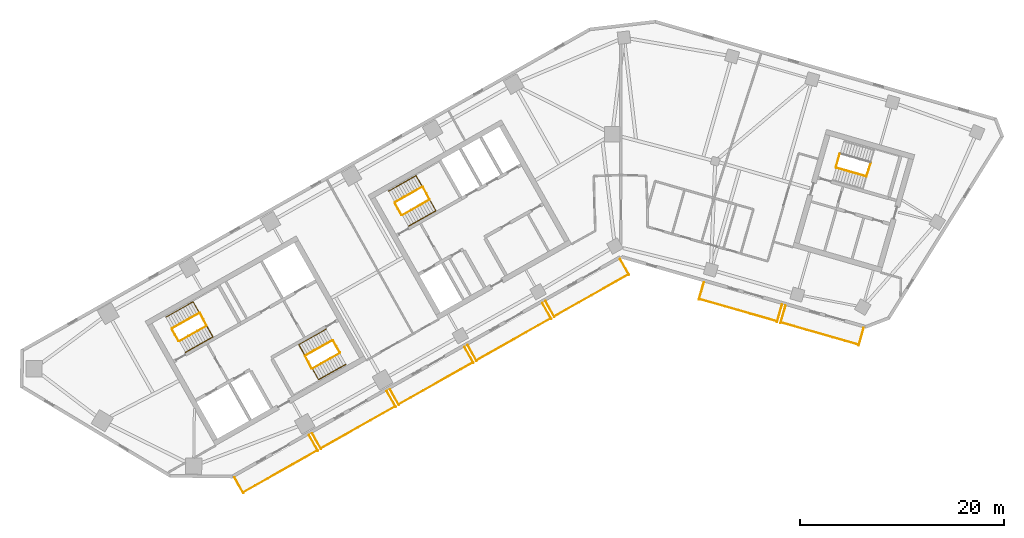
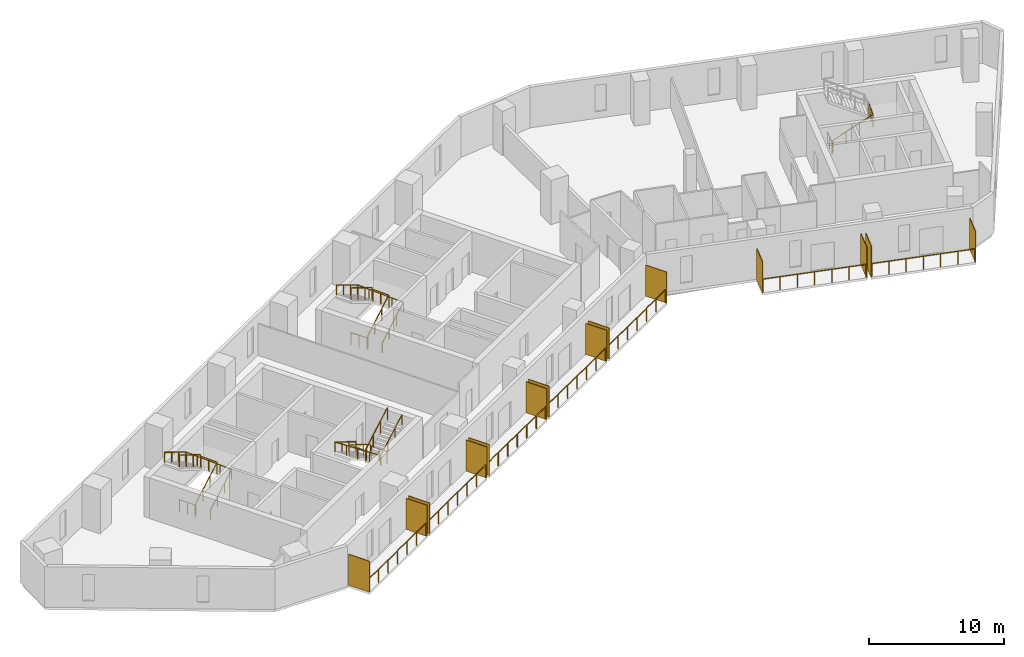
# One storey, part 8 of 9: 21 railings, 14 shading devices.
"""IFC4 building model written with IfcOpenShell, lengths in metres."""

from ifc_helpers import new_model, si_unit, direction, frame, origin, origin_2d, place, context, subcontext, project, spatial, rectangle, circle, extrude, material, layer, layer_set, type_object, element, save


model = new_model("IFC4")

# Units and contexts
model_context = context("Model", 3, precision=1e-05, world=origin(), true_north=direction((0.0, 1.0)))
body_context = subcontext(model_context, "Body", "Model", "MODEL_VIEW")
ifc_project = project(units=[si_unit("LENGTHUNIT", "METRE"), si_unit("AREAUNIT", "SQUARE_METRE"), si_unit("VOLUMEUNIT", "CUBIC_METRE"), si_unit("PLANEANGLEUNIT", "RADIAN"), si_unit("MASSUNIT", "GRAM", prefix="KILO")], contexts=[model_context])

# Site, building, storey
site_placement = place(None, origin())
site = spatial("IfcSite", under=ifc_project, at=site_placement, CompositionType="ELEMENT")
building_placement = place(site_placement, origin())
building = spatial("IfcBuilding", under=site, at=building_placement, Name="Binnacle Exchange Tower", CompositionType="ELEMENT")
storey_placement = place(building_placement, frame((0.0, 0.0, 182.89990234375)))
storey = spatial("IfcBuildingStorey", under=building, at=storey_placement, Name="L39", CompositionType="ELEMENT", Elevation=182.89990234375)

# Railings
ifc_material_1 = material(Name="Bronze anodised aluminium frame", Category="aluminium")
railing_type_1 = type_object("IfcRailingType", Name="GUARD 1200", PredefinedType="GUARDRAIL", material=ifc_material_1)
railing_1_placement = place(storey_placement, frame((-36.994140625, 24.921142578125, 0.0)))
element("IfcRailing", 1, at=railing_1_placement, inside=storey, type_object=railing_type_1, Name="Balcony guard G01-B00 L39", PredefinedType="GUARDRAIL", context=body_context, shape_type="SweptSolid", body=[
    extrude(circle(Radius=0.02392578125, at=origin_2d()), frame((0.0, 0.0, 1.17578125), z_axis=(0.8703461643, 0.49244040684, 0.0), x_axis=(-0.49244040684, 0.8703461643, 0.0)), (0.0, 0.0, 1.0), 8.33447265625),
    extrude(circle(Radius=0.02099609375, at=origin_2d()), origin(), (0.0, 0.0, 1.0), 1.15185546875),
    extrude(circle(Radius=0.02099609375, at=origin_2d()), frame((1.208984375, 0.68408203125, 0.0)), (0.0, 0.0, 1.0), 1.15185546875),
    extrude(circle(Radius=0.02099609375, at=origin_2d()), frame((2.41796875, 1.3681640625, 0.0)), (0.0, 0.0, 1.0), 1.15185546875),
    extrude(circle(Radius=0.02099609375, at=origin_2d()), frame((3.626953125, 2.05224609375, 0.0)), (0.0, 0.0, 1.0), 1.15185546875),
    extrude(circle(Radius=0.02099609375, at=origin_2d()), frame((4.8359375, 2.736083984375, 0.0)), (0.0, 0.0, 1.0), 1.15185546875),
    extrude(circle(Radius=0.02099609375, at=origin_2d()), frame((6.044921875, 3.420166015625, 0.0)), (0.0, 0.0, 1.0), 1.15185546875),
    extrude(circle(Radius=0.02099609375, at=origin_2d()), frame((7.25390625, 4.104248046875, 0.0)), (0.0, 0.0, 1.0), 1.15185546875),
])
railing_2_placement = place(storey_placement, frame((-29.374755859375, 29.232177734375, 0.0)))
element("IfcRailing", 2, at=railing_2_placement, inside=storey, type_object=railing_type_1, Name="Balcony guard G01-B01 L39", PredefinedType="GUARDRAIL", context=body_context, shape_type="SweptSolid", body=[
    extrude(circle(Radius=0.02392578125, at=origin_2d()), frame((0.0, 0.0, 1.17578125), z_axis=(0.870365821494, 0.492405662818, 0.0), x_axis=(-0.492405662818, 0.870365821494, 0.0)), (0.0, 0.0, 1.0), 8.334716796875),
    extrude(circle(Radius=0.02099609375, at=origin_2d()), origin(), (0.0, 0.0, 1.0), 1.15185546875),
    extrude(circle(Radius=0.02099609375, at=origin_2d()), frame((1.208984375, 0.68408203125, 0.0)), (0.0, 0.0, 1.0), 1.15185546875),
    extrude(circle(Radius=0.02099609375, at=origin_2d()), frame((2.41796875, 1.367919921875, 0.0)), (0.0, 0.0, 1.0), 1.15185546875),
    extrude(circle(Radius=0.02099609375, at=origin_2d()), frame((3.626953125, 2.052001953125, 0.0)), (0.0, 0.0, 1.0), 1.15185546875),
    extrude(circle(Radius=0.02099609375, at=origin_2d()), frame((4.836181640625, 2.736083984375, 0.0)), (0.0, 0.0, 1.0), 1.15185546875),
    extrude(circle(Radius=0.02099609375, at=origin_2d()), frame((6.045166015625, 3.419921875, 0.0)), (0.0, 0.0, 1.0), 1.15185546875),
    extrude(circle(Radius=0.02099609375, at=origin_2d()), frame((7.254150390625, 4.10400390625, 0.0)), (0.0, 0.0, 1.0), 1.15185546875),
])
railing_3_placement = place(storey_placement, frame((-21.7548828125, 33.54296875, 0.0)))
element("IfcRailing", 3, at=railing_3_placement, inside=storey, type_object=railing_type_1, Name="Balcony guard G01-B02 L39", PredefinedType="GUARDRAIL", context=body_context, shape_type="SweptSolid", body=[
    extrude(circle(Radius=0.02392578125, at=origin_2d()), frame((0.0, 0.0, 1.17578125), z_axis=(0.870339060608, 0.492452961795, 0.0), x_axis=(-0.492452961795, 0.870339060608, 0.0)), (0.0, 0.0, 1.0), 8.334228515625),
    extrude(circle(Radius=0.02099609375, at=origin_2d()), origin(), (0.0, 0.0, 1.0), 1.15185546875),
    extrude(circle(Radius=0.02099609375, at=origin_2d()), frame((1.208984375, 0.68408203125, 0.0)), (0.0, 0.0, 1.0), 1.15185546875),
    extrude(circle(Radius=0.02099609375, at=origin_2d()), frame((2.41796875, 1.3681640625, 0.0)), (0.0, 0.0, 1.0), 1.15185546875),
    extrude(circle(Radius=0.02099609375, at=origin_2d()), frame((3.626953125, 2.05224609375, 0.0)), (0.0, 0.0, 1.0), 1.15185546875),
    extrude(circle(Radius=0.02099609375, at=origin_2d()), frame((4.835693359375, 2.736083984375, 0.0)), (0.0, 0.0, 1.0), 1.15185546875),
    extrude(circle(Radius=0.02099609375, at=origin_2d()), frame((6.044677734375, 3.420166015625, 0.0)), (0.0, 0.0, 1.0), 1.15185546875),
    extrude(circle(Radius=0.02099609375, at=origin_2d()), frame((7.253662109375, 4.104248046875, 0.0)), (0.0, 0.0, 1.0), 1.15185546875),
])
railing_4_placement = place(storey_placement, frame((-14.135498046875, 37.85400390625, 0.0)))
element("IfcRailing", 4, at=railing_4_placement, inside=storey, type_object=railing_type_1, Name="Balcony guard G01-B03 L39", PredefinedType="GUARDRAIL", context=body_context, shape_type="SweptSolid", body=[
    extrude(circle(Radius=0.02392578125, at=origin_2d()), frame((0.0, 0.0, 1.17578125), z_axis=(0.870365821494, 0.492405662818, 0.0), x_axis=(-0.492405662818, 0.870365821494, 0.0)), (0.0, 0.0, 1.0), 8.334716796875),
    extrude(circle(Radius=0.02099609375, at=origin_2d()), origin(), (0.0, 0.0, 1.0), 1.15185546875),
    extrude(circle(Radius=0.02099609375, at=origin_2d()), frame((1.208984375, 0.68408203125, 0.0)), (0.0, 0.0, 1.0), 1.15185546875),
    extrude(circle(Radius=0.02099609375, at=origin_2d()), frame((2.41796875, 1.367919921875, 0.0)), (0.0, 0.0, 1.0), 1.15185546875),
    extrude(circle(Radius=0.02099609375, at=origin_2d()), frame((3.626953125, 2.052001953125, 0.0)), (0.0, 0.0, 1.0), 1.15185546875),
    extrude(circle(Radius=0.02099609375, at=origin_2d()), frame((4.836181640625, 2.736083984375, 0.0)), (0.0, 0.0, 1.0), 1.15185546875),
    extrude(circle(Radius=0.02099609375, at=origin_2d()), frame((6.045166015625, 3.419921875, 0.0)), (0.0, 0.0, 1.0), 1.15185546875),
    extrude(circle(Radius=0.02099609375, at=origin_2d()), frame((7.254150390625, 4.10400390625, 0.0)), (0.0, 0.0, 1.0), 1.15185546875),
])
railing_5_placement = place(storey_placement, frame((-6.515869140625, 42.164794921875, 0.0)))
element("IfcRailing", 5, at=railing_5_placement, inside=storey, type_object=railing_type_1, Name="Balcony guard G01-B04 L39", PredefinedType="GUARDRAIL", context=body_context, shape_type="SweptSolid", body=[
    extrude(circle(Radius=0.02392578125, at=origin_2d()), frame((0.0, 0.0, 1.17578125), z_axis=(0.8703461643, 0.49244040684, 0.0), x_axis=(-0.49244040684, 0.8703461643, 0.0)), (0.0, 0.0, 1.0), 8.33447265625),
    extrude(circle(Radius=0.02099609375, at=origin_2d()), origin(), (0.0, 0.0, 1.0), 1.15185546875),
    extrude(circle(Radius=0.02099609375, at=origin_2d()), frame((1.208984375, 0.68408203125, 0.0)), (0.0, 0.0, 1.0), 1.15185546875),
    extrude(circle(Radius=0.02099609375, at=origin_2d()), frame((2.41796875, 1.3681640625, 0.0)), (0.0, 0.0, 1.0), 1.15185546875),
    extrude(circle(Radius=0.02099609375, at=origin_2d()), frame((3.626953125, 2.05224609375, 0.0)), (0.0, 0.0, 1.0), 1.15185546875),
    extrude(circle(Radius=0.02099609375, at=origin_2d()), frame((4.8359375, 2.736083984375, 0.0)), (0.0, 0.0, 1.0), 1.15185546875),
    extrude(circle(Radius=0.02099609375, at=origin_2d()), frame((6.044921875, 3.420166015625, 0.0)), (0.0, 0.0, 1.0), 1.15185546875),
    extrude(circle(Radius=0.02099609375, at=origin_2d()), frame((7.25390625, 4.104248046875, 0.0)), (0.0, 0.0, 1.0), 1.15185546875),
])
for number, where, name in (
    (6, (7.6845703125, 43.85107421875, 0.0), "Balcony guard G02-B01 L39"),
    (7, (15.6826171875, 41.5576171875, 0.0), "Balcony guard G02-B02 L39"),
):
    element("IfcRailing", number, at=place(storey_placement, frame(where)), inside=storey, type_object=railing_type_1, Name=name, PredefinedType="GUARDRAIL", context=body_context, shape_type="SweptSolid", body=[
        extrude(circle(Radius=0.02392578125, at=origin_2d()), frame((0.0, 0.0, 1.17578125), z_axis=(0.961265805968, -0.275623022035, 0.0), x_axis=(0.275623022035, 0.961265805968, 0.0)), (0.0, 0.0, 1.0), 7.900146484375),
        extrude(circle(Radius=0.02099609375, at=origin_2d()), origin(), (0.0, 0.0, 1.0), 1.15185546875),
        extrude(circle(Radius=0.02099609375, at=origin_2d()), frame((1.265625, -0.36279296875, 0.0)), (0.0, 0.0, 1.0), 1.15185546875),
        extrude(circle(Radius=0.02099609375, at=origin_2d()), frame((2.531494140625, -0.725830078125, 0.0)), (0.0, 0.0, 1.0), 1.15185546875),
        extrude(circle(Radius=0.02099609375, at=origin_2d()), frame((3.797119140625, -1.0888671875, 0.0)), (0.0, 0.0, 1.0), 1.15185546875),
        extrude(circle(Radius=0.02099609375, at=origin_2d()), frame((5.062744140625, -1.45166015625, 0.0)), (0.0, 0.0, 1.0), 1.15185546875),
        extrude(circle(Radius=0.02099609375, at=origin_2d()), frame((6.32861328125, -1.814453125, 0.0)), (0.0, 0.0, 1.0), 1.15185546875),
        extrude(circle(Radius=0.02099609375, at=origin_2d()), frame((7.59423828125, -2.177490234375, 0.0)), (0.0, 0.0, 1.0), 1.15185546875),
    ])

# Shading devices
ifc_material_2 = material(Name="Bronze aluminium louvre", Category="aluminium")
ifc_layer = layer(ifc_material_2, 0.06005859375)
ifc_layer_set = layer_set([ifc_layer], Name="PLANTED SCREEN 60x2800")
shading_device_type = type_object("IfcShadingDeviceType", Name="PLANTED SCREEN 60x2800", PredefinedType="USERDEFINED", material=ifc_layer_set)
for number, where, z_axis, x_axis, name in (
    (8, (-37.424072265625, 25.6201171875, 0.0), (0.0, 0.0, 1.0), (0.87035569594, 0.492423560103, 0.0), "Planted screen G01-B00a L39"),
    (9, (-30.117919921875, 29.753662109375, 0.0), (0.0, 0.0, 1.0), (0.87035569594, 0.492423560103, 0.0), "Planted screen G01-B00b L39"),
    (10, (-29.8046875, 29.930908203125, 0.0), (0.0, 0.0, 1.0), (0.87035569594, 0.492423560103, 0.0), "Planted screen G01-B01a L39"),
    (11, (-22.498291015625, 34.064697265625, 0.0), (0.0, 0.0, 1.0), (0.87035569594, 0.492423560103, 0.0), "Planted screen G01-B01b L39"),
    (12, (-22.184814453125, 34.241943359375, 0.0), (0.0, 0.0, 1.0), (0.87035569594, 0.492423560103, 0.0), "Planted screen G01-B02a L39"),
    (13, (-14.878662109375, 38.37548828125, 0.0), (0.0, 0.0, 1.0), (0.87035569594, 0.492423560103, 0.0), "Planted screen G01-B02b L39"),
    (14, (-14.5654296875, 38.552978515625, 0.0), (0.0, 0.0, 1.0), (0.87035569594, 0.492423560103, 0.0), "Planted screen G01-B03a L39"),
    (15, (-7.259033203125, 42.6865234375, 0.0), (0.0, 0.0, 1.0), (0.87035569594, 0.492423560103, 0.0), "Planted screen G01-B03b L39"),
    (16, (-6.94580078125, 42.864013671875, 0.0), (0.0, 0.0, 1.0), (0.87035569594, 0.492423560103, 0.0), "Planted screen G01-B04a L39"),
    (17, (0.3603515625, 46.99755859375, 0.0), (0.0, 0.0, 1.0), (0.87035569594, 0.492423560103, 0.0), "Planted screen G01-B04b L39"),
    (18, (7.881591796875, 44.647705078125, 0.0), (0.0, 0.0, 1.0), (0.961261695938, -0.275637355817, 0.0), "Planted screen G02-B01a L39"),
    (19, (15.53369140625, 42.45361328125, 0.0), (0.0, 0.0, 1.0), (0.961261695938, -0.275637355817, 0.0), "Planted screen G02-B01b L39"),
    (20, (15.8798828125, 42.354248046875, 0.0), (0.0, 0.0, 1.0), (0.961261695938, -0.275637355817, 0.0), "Planted screen G02-B02a L39"),
    (21, (23.53173828125, 40.16015625, 0.0), (0.0, 0.0, 1.0), (0.961261695938, -0.275637355817, 0.0), "Planted screen G02-B02b L39"),
):
    element("IfcShadingDevice", number, at=place(storey_placement, frame(where, z_axis=z_axis, x_axis=x_axis)), inside=storey, type_object=shading_device_type, Name=name, ObjectType="SCREEN", PredefinedType="USERDEFINED", context=body_context, shape_type="SweptSolid", body=[
        extrude(rectangle(XDim=0.06005859375, YDim=1.800048828125, at=origin_2d()), origin(), (0.0, 0.0, 1.0), 2.800048828125),
    ])

# Railings
ifc_material_3 = material(Name="Steel guard rail", Category="steel")
railing_type_2 = type_object("IfcRailingType", Name="STAIR GUARD 1100", PredefinedType="GUARDRAIL", material=ifc_material_3)
railing_6_placement = place(storey_placement, frame((-43.26171875, 39.71728515625, 0.166748046875)))
element("IfcRailing", 22, at=railing_6_placement, inside=storey, type_object=railing_type_2, Name="L39 STA1 stair guard 1", PredefinedType="GUARDRAIL", context=body_context, shape_type="SweptSolid", body=[
    extrude(circle(Radius=0.02392578125, at=origin_2d()), frame((0.0, 0.0, 1.076171875), z_axis=(0.747900833971, 0.423129324283, 0.511474258861), x_axis=(-0.492412445098, 0.870361984414, 0.0)), (0.0, 0.0, 1.0), 3.584228515625),
    extrude(circle(Radius=0.02392578125, at=origin_2d()), frame((2.6806640625, 1.5166015625, 2.9091796875), z_axis=(-0.461100321709, 0.887348011391, 0.0), x_axis=(-0.887348011391, -0.461100321709, 0.0)), (0.0, 0.0, 1.0), 1.40087890625),
    extrude(circle(Radius=0.02099609375, at=origin_2d()), origin(), (0.0, 0.0, 1.0), 1.052001953125),
    extrude(circle(Radius=0.02099609375, at=origin_2d()), frame((0.8935546875, 0.505615234375, 0.611083984375)), (0.0, 0.0, 1.0), 1.052001953125),
    extrude(circle(Radius=0.02099609375, at=origin_2d()), frame((1.787109375, 1.010986328125, 1.22216796875)), (0.0, 0.0, 1.0), 1.052001953125),
    extrude(circle(Radius=0.02099609375, at=origin_2d()), frame((2.6806640625, 1.5166015625, 1.833251953125)), (0.0, 0.0, 1.0), 1.052001953125),
    extrude(circle(Radius=0.02099609375, at=origin_2d()), frame((2.357666015625, 2.13818359375, 1.833251953125)), (0.0, 0.0, 1.0), 1.052001953125),
    extrude(circle(Radius=0.02099609375, at=origin_2d()), frame((2.03466796875, 2.759765625, 1.833251953125)), (0.0, 0.0, 1.0), 1.052001953125),
])
railing_7_placement = place(storey_placement, frame((-41.295166015625, 42.49609375, 2.166748046875)))
element("IfcRailing", 23, at=railing_7_placement, inside=storey, type_object=railing_type_2, Name="L39 STA1 stair guard 2", PredefinedType="GUARDRAIL", context=body_context, shape_type="SweptSolid", body=[
    extrude(circle(Radius=0.02392578125, at=origin_2d()), frame((0.0, 0.0, 1.076171875), z_axis=(-0.747879277632, -0.423185241524, 0.511459516916), x_axis=(0.492472489424, -0.870328011247, 0.0)), (0.0, 0.0, 1.0), 3.58447265625),
    extrude(circle(Radius=0.02099609375, at=origin_2d()), origin(), (0.0, 0.0, 1.0), 1.052001953125),
    extrude(circle(Radius=0.02099609375, at=origin_2d()), frame((-0.8935546875, -0.505615234375, 0.611083984375)), (0.0, 0.0, 1.0), 1.052001953125),
    extrude(circle(Radius=0.02099609375, at=origin_2d()), frame((-1.787109375, -1.01123046875, 1.22216796875)), (0.0, 0.0, 1.0), 1.052001953125),
    extrude(circle(Radius=0.02099609375, at=origin_2d()), frame((-2.6806640625, -1.516845703125, 1.833251953125)), (0.0, 0.0, 1.0), 1.052001953125),
])
railing_8_placement = place(storey_placement, frame((-43.329833984375, 39.736328125, 0.0)))
element("IfcRailing", 24, at=railing_8_placement, inside=storey, type_object=railing_type_2, Name="L39 STA1 stair guard 3", PredefinedType="GUARDRAIL", context=body_context, shape_type="SweptSolid", body=[
    extrude(circle(Radius=0.02392578125, at=origin_2d()), frame((0.0, 0.0, 1.076171875), z_axis=(-0.4924922531, 0.870316827734, 0.0), x_axis=(-0.870316827734, -0.4924922531, 0.0)), (0.0, 0.0, 1.0), 1.349853515625),
    extrude(circle(Radius=0.02099609375, at=origin_2d()), origin(), (0.0, 0.0, 1.0), 1.052001953125),
    extrude(circle(Radius=0.02099609375, at=origin_2d()), frame((-0.33251953125, 0.58740234375, 0.0)), (0.0, 0.0, 1.0), 1.052001953125),
    extrude(circle(Radius=0.02099609375, at=origin_2d()), frame((-0.664794921875, 1.1748046875, 0.0)), (0.0, 0.0, 1.0), 1.052001953125),
])
railing_9_placement = place(storey_placement, frame((-28.265380859375, 39.814453125, 0.166748046875)))
element("IfcRailing", 25, at=railing_9_placement, inside=storey, type_object=railing_type_2, Name="L39 STA2 stair guard 1", PredefinedType="GUARDRAIL", context=body_context, shape_type="SweptSolid", body=[
    extrude(circle(Radius=0.02392578125, at=origin_2d()), frame((0.0, 0.0, 1.076171875), z_axis=(-0.747900833971, -0.423129324283, 0.511474258861), x_axis=(0.492412445098, -0.870361984414, 0.0)), (0.0, 0.0, 1.0), 3.584228515625),
    extrude(circle(Radius=0.02392578125, at=origin_2d()), frame((-2.6806640625, -1.5166015625, 2.9091796875), z_axis=(0.460963092712, -0.887419307406, 0.0), x_axis=(0.887419307406, 0.460963092712, 0.0)), (0.0, 0.0, 1.0), 1.40087890625),
    extrude(circle(Radius=0.02099609375, at=origin_2d()), origin(), (0.0, 0.0, 1.0), 1.052001953125),
    extrude(circle(Radius=0.02099609375, at=origin_2d()), frame((-0.8935546875, -0.505615234375, 0.611083984375)), (0.0, 0.0, 1.0), 1.052001953125),
    extrude(circle(Radius=0.02099609375, at=origin_2d()), frame((-1.787109375, -1.010986328125, 1.22216796875)), (0.0, 0.0, 1.0), 1.052001953125),
    extrude(circle(Radius=0.02099609375, at=origin_2d()), frame((-2.6806640625, -1.5166015625, 1.833251953125)), (0.0, 0.0, 1.0), 1.052001953125),
    extrude(circle(Radius=0.02099609375, at=origin_2d()), frame((-2.35791015625, -2.13818359375, 1.833251953125)), (0.0, 0.0, 1.0), 1.052001953125),
    extrude(circle(Radius=0.02099609375, at=origin_2d()), frame((-2.034912109375, -2.759765625, 1.833251953125)), (0.0, 0.0, 1.0), 1.052001953125),
])
railing_10_placement = place(storey_placement, frame((-30.232177734375, 37.035888671875, 2.166748046875)))
element("IfcRailing", 26, at=railing_10_placement, inside=storey, type_object=railing_type_2, Name="L39 STA2 stair guard 2", PredefinedType="GUARDRAIL", context=body_context, shape_type="SweptSolid", body=[
    extrude(circle(Radius=0.02392578125, at=origin_2d()), frame((0.0, 0.0, 1.076171875), z_axis=(0.747900833971, 0.423129324283, 0.511474258861), x_axis=(-0.492412445098, 0.870361984414, 0.0)), (0.0, 0.0, 1.0), 3.584228515625),
    extrude(circle(Radius=0.02099609375, at=origin_2d()), origin(), (0.0, 0.0, 1.0), 1.052001953125),
    extrude(circle(Radius=0.02099609375, at=origin_2d()), frame((0.8935546875, 0.505615234375, 0.611083984375)), (0.0, 0.0, 1.0), 1.052001953125),
    extrude(circle(Radius=0.02099609375, at=origin_2d()), frame((1.787109375, 1.010986328125, 1.22216796875)), (0.0, 0.0, 1.0), 1.052001953125),
    extrude(circle(Radius=0.02099609375, at=origin_2d()), frame((2.6806640625, 1.5166015625, 1.833251953125)), (0.0, 0.0, 1.0), 1.052001953125),
])
railing_11_placement = place(storey_placement, frame((-28.197265625, 39.795654296875, 0.0)))
element("IfcRailing", 27, at=railing_11_placement, inside=storey, type_object=railing_type_2, Name="L39 STA2 stair guard 3", PredefinedType="GUARDRAIL", context=body_context, shape_type="SweptSolid", body=[
    extrude(circle(Radius=0.02392578125, at=origin_2d()), frame((0.0, 0.0, 1.076171875), z_axis=(0.49241474071, -0.870360685654, 0.0), x_axis=(0.870360685654, 0.49241474071, 0.0)), (0.0, 0.0, 1.0), 1.35009765625),
    extrude(circle(Radius=0.02099609375, at=origin_2d()), origin(), (0.0, 0.0, 1.0), 1.052001953125),
    extrude(circle(Radius=0.02099609375, at=origin_2d()), frame((0.33251953125, -0.58740234375, 0.0)), (0.0, 0.0, 1.0), 1.052001953125),
    extrude(circle(Radius=0.02099609375, at=origin_2d()), frame((0.664794921875, -1.175048828125, 0.0)), (0.0, 0.0, 1.0), 1.052001953125),
])
railing_12_placement = place(storey_placement, frame((-21.423828125, 52.07275390625, 0.166748046875)))
element("IfcRailing", 28, at=railing_12_placement, inside=storey, type_object=railing_type_2, Name="L39 STC1 stair guard 1", PredefinedType="GUARDRAIL", context=body_context, shape_type="SweptSolid", body=[
    extrude(circle(Radius=0.02392578125, at=origin_2d()), frame((0.0, 0.0, 1.076171875), z_axis=(0.747900833971, 0.423129324283, 0.511474258861), x_axis=(-0.492412445098, 0.870361984414, 0.0)), (0.0, 0.0, 1.0), 3.584228515625),
    extrude(circle(Radius=0.02392578125, at=origin_2d()), frame((2.6806640625, 1.5166015625, 2.9091796875), z_axis=(-0.460963092712, 0.887419307406, 0.0), x_axis=(-0.887419307406, -0.460963092712, 0.0)), (0.0, 0.0, 1.0), 1.40087890625),
    extrude(circle(Radius=0.02099609375, at=origin_2d()), origin(), (0.0, 0.0, 1.0), 1.052001953125),
    extrude(circle(Radius=0.02099609375, at=origin_2d()), frame((0.8935546875, 0.505615234375, 0.611083984375)), (0.0, 0.0, 1.0), 1.052001953125),
    extrude(circle(Radius=0.02099609375, at=origin_2d()), frame((1.787109375, 1.010986328125, 1.22216796875)), (0.0, 0.0, 1.0), 1.052001953125),
    extrude(circle(Radius=0.02099609375, at=origin_2d()), frame((2.6806640625, 1.5166015625, 1.833251953125)), (0.0, 0.0, 1.0), 1.052001953125),
    extrude(circle(Radius=0.02099609375, at=origin_2d()), frame((2.35791015625, 2.13818359375, 1.833251953125)), (0.0, 0.0, 1.0), 1.052001953125),
    extrude(circle(Radius=0.02099609375, at=origin_2d()), frame((2.034912109375, 2.759765625, 1.833251953125)), (0.0, 0.0, 1.0), 1.052001953125),
])
railing_13_placement = place(storey_placement, frame((-19.45703125, 54.851318359375, 2.166748046875)))
element("IfcRailing", 29, at=railing_13_placement, inside=storey, type_object=railing_type_2, Name="L39 STC1 stair guard 2", PredefinedType="GUARDRAIL", context=body_context, shape_type="SweptSolid", body=[
    extrude(circle(Radius=0.02392578125, at=origin_2d()), frame((0.0, 0.0, 1.076171875), z_axis=(-0.747900833971, -0.423129324283, 0.511474258861), x_axis=(0.492412445098, -0.870361984414, 0.0)), (0.0, 0.0, 1.0), 3.584228515625),
    extrude(circle(Radius=0.02099609375, at=origin_2d()), origin(), (0.0, 0.0, 1.0), 1.052001953125),
    extrude(circle(Radius=0.02099609375, at=origin_2d()), frame((-0.8935546875, -0.505615234375, 0.611083984375)), (0.0, 0.0, 1.0), 1.052001953125),
    extrude(circle(Radius=0.02099609375, at=origin_2d()), frame((-1.787109375, -1.010986328125, 1.22216796875)), (0.0, 0.0, 1.0), 1.052001953125),
    extrude(circle(Radius=0.02099609375, at=origin_2d()), frame((-2.6806640625, -1.5166015625, 1.833251953125)), (0.0, 0.0, 1.0), 1.052001953125),
])
railing_14_placement = place(storey_placement, frame((-21.491943359375, 52.091552734375, 0.0)))
element("IfcRailing", 30, at=railing_14_placement, inside=storey, type_object=railing_type_2, Name="L39 STC1 stair guard 3", PredefinedType="GUARDRAIL", context=body_context, shape_type="SweptSolid", body=[
    extrude(circle(Radius=0.02392578125, at=origin_2d()), frame((0.0, 0.0, 1.076171875), z_axis=(-0.49241474071, 0.870360685654, 0.0), x_axis=(-0.870360685654, -0.49241474071, 0.0)), (0.0, 0.0, 1.0), 1.35009765625),
    extrude(circle(Radius=0.02099609375, at=origin_2d()), origin(), (0.0, 0.0, 1.0), 1.052001953125),
    extrude(circle(Radius=0.02099609375, at=origin_2d()), frame((-0.33251953125, 0.58740234375, 0.0)), (0.0, 0.0, 1.0), 1.052001953125),
    extrude(circle(Radius=0.02099609375, at=origin_2d()), frame((-0.664794921875, 1.175048828125, 0.0)), (0.0, 0.0, 1.0), 1.052001953125),
])
railing_15_placement = place(storey_placement, frame((21.086669921875, 56.71044921875, 0.166748046875)))
element("IfcRailing", 31, at=railing_15_placement, inside=storey, type_object=railing_type_2, Name="L39 STD1 stair guard 1", PredefinedType="GUARDRAIL", context=body_context, shape_type="SweptSolid", body=[
    extrude(circle(Radius=0.02392578125, at=origin_2d()), frame((0.0, 0.0, 1.076171875), z_axis=(0.826006950853, -0.236897186037, 0.511460888427), x_axis=(0.27568413623, 0.961248280639, 0.0)), (0.0, 0.0, 1.0), 3.584228515625),
    extrude(circle(Radius=0.02392578125, at=origin_2d()), frame((2.960693359375, -0.84912109375, 2.9091796875), z_axis=(0.309684985722, 0.950839213337, 0.0), x_axis=(-0.950839213337, 0.309684985722, 0.0)), (0.0, 0.0, 1.0), 1.40087890625),
    extrude(circle(Radius=0.02099609375, at=origin_2d()), origin(), (0.0, 0.0, 1.0), 1.052001953125),
    extrude(circle(Radius=0.02099609375, at=origin_2d()), frame((0.98681640625, -0.282958984375, 0.611083984375)), (0.0, 0.0, 1.0), 1.052001953125),
    extrude(circle(Radius=0.02099609375, at=origin_2d()), frame((1.973876953125, -0.566162109375, 1.22216796875)), (0.0, 0.0, 1.0), 1.052001953125),
    extrude(circle(Radius=0.02099609375, at=origin_2d()), frame((2.960693359375, -0.84912109375, 1.833251953125)), (0.0, 0.0, 1.0), 1.052001953125),
    extrude(circle(Radius=0.02099609375, at=origin_2d()), frame((3.177734375, -0.18310546875, 1.833251953125)), (0.0, 0.0, 1.0), 1.052001953125),
    extrude(circle(Radius=0.02099609375, at=origin_2d()), frame((3.39453125, 0.48291015625, 1.833251953125)), (0.0, 0.0, 1.0), 1.052001953125),
])
railing_16_placement = place(storey_placement, frame((21.05224609375, 56.772216796875, 0.0)))
element("IfcRailing", 32, at=railing_16_placement, inside=storey, type_object=railing_type_2, Name="L39 STD1 stair guard 3", PredefinedType="GUARDRAIL", context=body_context, shape_type="SweptSolid", body=[
    extrude(circle(Radius=0.02392578125, at=origin_2d()), frame((0.0, 0.0, 1.076171875), z_axis=(0.275795817769, 0.961216243569, 0.0), x_axis=(-0.961216243569, 0.275795817769, 0.0)), (0.0, 0.0, 1.0), 1.349853515625),
    extrude(circle(Radius=0.02099609375, at=origin_2d()), origin(), (0.0, 0.0, 1.0), 1.052001953125),
    extrude(circle(Radius=0.02099609375, at=origin_2d()), frame((0.18603515625, 0.64892578125, 0.0)), (0.0, 0.0, 1.0), 1.052001953125),
    extrude(circle(Radius=0.02099609375, at=origin_2d()), frame((0.372314453125, 1.297607421875, 0.0)), (0.0, 0.0, 1.0), 1.052001953125),
])
ifc_material_4 = material(Name="Steel handrail", Category="steel")
railing_type_3 = type_object("IfcRailingType", Name="STAIR HANDRAIL 900", PredefinedType="HANDRAIL", material=ifc_material_4)
railing_17_placement = place(storey_placement, frame((-42.646240234375, 38.62939453125, 0.166748046875)))
element("IfcRailing", 33, at=railing_17_placement, inside=storey, type_object=railing_type_3, Name="L39 STA1 stair handrail 1", PredefinedType="HANDRAIL", context=body_context, shape_type="SweptSolid", body=[
    extrude(circle(Radius=0.02392578125, at=origin_2d()), frame((0.0, 0.0, 0.8759765625), z_axis=(0.747900833971, 0.423129324283, 0.511474258861), x_axis=(-0.492412445098, 0.870361984414, 0.0)), (0.0, 0.0, 1.0), 3.584228515625),
    extrude(circle(Radius=0.02392578125, at=origin_2d()), frame((2.6806640625, 1.5166015625, 2.708984375), z_axis=(-0.491975462752, 0.869586854082, 0.042176382711), x_axis=(-0.870361318571, -0.492413622004, 0.0)), (0.0, 0.0, 1.0), 3.95361328125),
    extrude(circle(Radius=0.02392578125, at=origin_2d()), frame((0.735595703125, 4.95458984375, 2.8759765625), z_axis=(-0.747900833971, -0.423129324283, 0.511474258861), x_axis=(0.492412445098, -0.870361984414, 0.0)), (0.0, 0.0, 1.0), 3.584228515625),
    extrude(circle(Radius=0.02099609375, at=origin_2d()), origin(), (0.0, 0.0, 1.0), 0.851806640625),
    extrude(circle(Radius=0.02099609375, at=origin_2d()), frame((0.8935546875, 0.505615234375, 0.611083984375)), (0.0, 0.0, 1.0), 0.851806640625),
    extrude(circle(Radius=0.02099609375, at=origin_2d()), frame((1.787109375, 1.010986328125, 1.22216796875)), (0.0, 0.0, 1.0), 0.851806640625),
    extrude(circle(Radius=0.02099609375, at=origin_2d()), frame((2.6806640625, 1.5166015625, 1.833251953125)), (0.0, 0.0, 1.0), 0.851806640625),
    extrude(circle(Radius=0.02099609375, at=origin_2d()), frame((2.1943359375, 2.3759765625, 1.875)), (0.0, 0.0, 1.0), 0.851806640625),
    extrude(circle(Radius=0.02099609375, at=origin_2d()), frame((1.7080078125, 3.235595703125, 1.91650390625)), (0.0, 0.0, 1.0), 0.851806640625),
    extrude(circle(Radius=0.02099609375, at=origin_2d()), frame((1.221923828125, 4.09521484375, 1.958251953125)), (0.0, 0.0, 1.0), 0.851806640625),
    extrude(circle(Radius=0.02099609375, at=origin_2d()), frame((0.735595703125, 4.95458984375, 2.0)), (0.0, 0.0, 1.0), 0.851806640625),
    extrude(circle(Radius=0.02099609375, at=origin_2d()), frame((-0.157958984375, 4.448974609375, 2.611083984375)), (0.0, 0.0, 1.0), 0.851806640625),
    extrude(circle(Radius=0.02099609375, at=origin_2d()), frame((-1.051513671875, 3.943603515625, 3.22216796875)), (0.0, 0.0, 1.0), 0.851806640625),
    extrude(circle(Radius=0.02099609375, at=origin_2d()), frame((-1.945068359375, 3.43798828125, 3.833251953125)), (0.0, 0.0, 1.0), 0.851806640625),
])
railing_18_placement = place(storey_placement, frame((-28.880859375, 40.90234375, 0.166748046875)))
element("IfcRailing", 34, at=railing_18_placement, inside=storey, type_object=railing_type_3, Name="L39 STA2 stair handrail 1", PredefinedType="HANDRAIL", context=body_context, shape_type="SweptSolid", body=[
    extrude(circle(Radius=0.02392578125, at=origin_2d()), frame((0.0, 0.0, 0.8759765625), z_axis=(-0.747930846092, -0.423107769413, 0.511448203561), x_axis=(0.492378474645, -0.870381202524, 0.0)), (0.0, 0.0, 1.0), 3.58447265625),
    extrude(circle(Radius=0.02392578125, at=origin_2d()), frame((-2.680908203125, -1.5166015625, 2.708984375), z_axis=(0.491975462752, -0.869586854082, 0.042176382711), x_axis=(0.870361318571, 0.492413622004, 0.0)), (0.0, 0.0, 1.0), 3.95361328125),
    extrude(circle(Radius=0.02392578125, at=origin_2d()), frame((-0.73583984375, -4.95458984375, 2.8759765625), z_axis=(0.747909291085, 0.423163685048, 0.51143346387), x_axis=(-0.49243851748, 0.870347233294, 0.0)), (0.0, 0.0, 1.0), 3.58447265625),
    extrude(circle(Radius=0.02099609375, at=origin_2d()), origin(), (0.0, 0.0, 1.0), 0.851806640625),
    extrude(circle(Radius=0.02099609375, at=origin_2d()), frame((-0.8935546875, -0.505615234375, 0.611083984375)), (0.0, 0.0, 1.0), 0.851806640625),
    extrude(circle(Radius=0.02099609375, at=origin_2d()), frame((-1.787353515625, -1.010986328125, 1.22216796875)), (0.0, 0.0, 1.0), 0.851806640625),
    extrude(circle(Radius=0.02099609375, at=origin_2d()), frame((-2.680908203125, -1.5166015625, 1.833251953125)), (0.0, 0.0, 1.0), 0.851806640625),
    extrude(circle(Radius=0.02099609375, at=origin_2d()), frame((-2.194580078125, -2.3759765625, 1.875)), (0.0, 0.0, 1.0), 0.851806640625),
    extrude(circle(Radius=0.02099609375, at=origin_2d()), frame((-1.70849609375, -3.235595703125, 1.91650390625)), (0.0, 0.0, 1.0), 0.851806640625),
    extrude(circle(Radius=0.02099609375, at=origin_2d()), frame((-1.22216796875, -4.09521484375, 1.958251953125)), (0.0, 0.0, 1.0), 0.851806640625),
    extrude(circle(Radius=0.02099609375, at=origin_2d()), frame((-0.73583984375, -4.95458984375, 2.0)), (0.0, 0.0, 1.0), 0.851806640625),
    extrude(circle(Radius=0.02099609375, at=origin_2d()), frame((0.15771484375, -4.448974609375, 2.611083984375)), (0.0, 0.0, 1.0), 0.851806640625),
    extrude(circle(Radius=0.02099609375, at=origin_2d()), frame((1.051513671875, -3.943359375, 3.22216796875)), (0.0, 0.0, 1.0), 0.851806640625),
    extrude(circle(Radius=0.02099609375, at=origin_2d()), frame((1.945068359375, -3.437744140625, 3.833251953125)), (0.0, 0.0, 1.0), 0.851806640625),
])
railing_19_placement = place(storey_placement, frame((-20.808349609375, 50.984619140625, 0.166748046875)))
element("IfcRailing", 35, at=railing_19_placement, inside=storey, type_object=railing_type_3, Name="L39 STC1 stair handrail 1", PredefinedType="HANDRAIL", context=body_context, shape_type="SweptSolid", body=[
    extrude(circle(Radius=0.02392578125, at=origin_2d()), frame((0.0, 0.0, 0.8759765625), z_axis=(0.747909291085, 0.423163685048, 0.51143346387), x_axis=(-0.49243851748, 0.870347233294, 0.0)), (0.0, 0.0, 1.0), 3.58447265625),
    extrude(circle(Radius=0.02392578125, at=origin_2d()), frame((2.680908203125, 1.516845703125, 2.708984375), z_axis=(-0.492001882252, 0.86957179666, 0.042178647619), x_axis=(-0.87034633103, -0.492440112159, 0.0)), (0.0, 0.0, 1.0), 3.953369140625),
    extrude(circle(Radius=0.02392578125, at=origin_2d()), frame((0.73583984375, 4.95458984375, 2.8759765625), z_axis=(-0.747930846092, -0.423107769413, 0.511448203561), x_axis=(0.492378474645, -0.870381202524, 0.0)), (0.0, 0.0, 1.0), 3.58447265625),
    extrude(circle(Radius=0.02099609375, at=origin_2d()), origin(), (0.0, 0.0, 1.0), 0.851806640625),
    extrude(circle(Radius=0.02099609375, at=origin_2d()), frame((0.8935546875, 0.505615234375, 0.611083984375)), (0.0, 0.0, 1.0), 0.851806640625),
    extrude(circle(Radius=0.02099609375, at=origin_2d()), frame((1.787353515625, 1.01123046875, 1.22216796875)), (0.0, 0.0, 1.0), 0.851806640625),
    extrude(circle(Radius=0.02099609375, at=origin_2d()), frame((2.680908203125, 1.516845703125, 1.833251953125)), (0.0, 0.0, 1.0), 0.851806640625),
    extrude(circle(Radius=0.02099609375, at=origin_2d()), frame((2.194580078125, 2.376220703125, 1.875)), (0.0, 0.0, 1.0), 0.851806640625),
    extrude(circle(Radius=0.02099609375, at=origin_2d()), frame((1.70849609375, 3.23583984375, 1.91650390625)), (0.0, 0.0, 1.0), 0.851806640625),
    extrude(circle(Radius=0.02099609375, at=origin_2d()), frame((1.22216796875, 4.09521484375, 1.958251953125)), (0.0, 0.0, 1.0), 0.851806640625),
    extrude(circle(Radius=0.02099609375, at=origin_2d()), frame((0.73583984375, 4.95458984375, 2.0)), (0.0, 0.0, 1.0), 0.851806640625),
    extrude(circle(Radius=0.02099609375, at=origin_2d()), frame((-0.15771484375, 4.448974609375, 2.611083984375)), (0.0, 0.0, 1.0), 0.851806640625),
    extrude(circle(Radius=0.02099609375, at=origin_2d()), frame((-1.051513671875, 3.943603515625, 3.22216796875)), (0.0, 0.0, 1.0), 0.851806640625),
    extrude(circle(Radius=0.02099609375, at=origin_2d()), frame((-1.945068359375, 3.43798828125, 3.833251953125)), (0.0, 0.0, 1.0), 0.851806640625),
])

save(model, "model.ifc")
